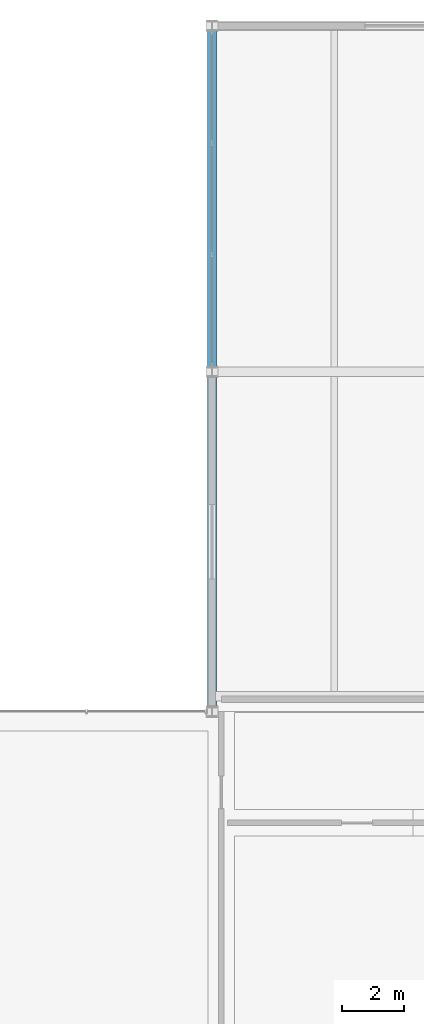
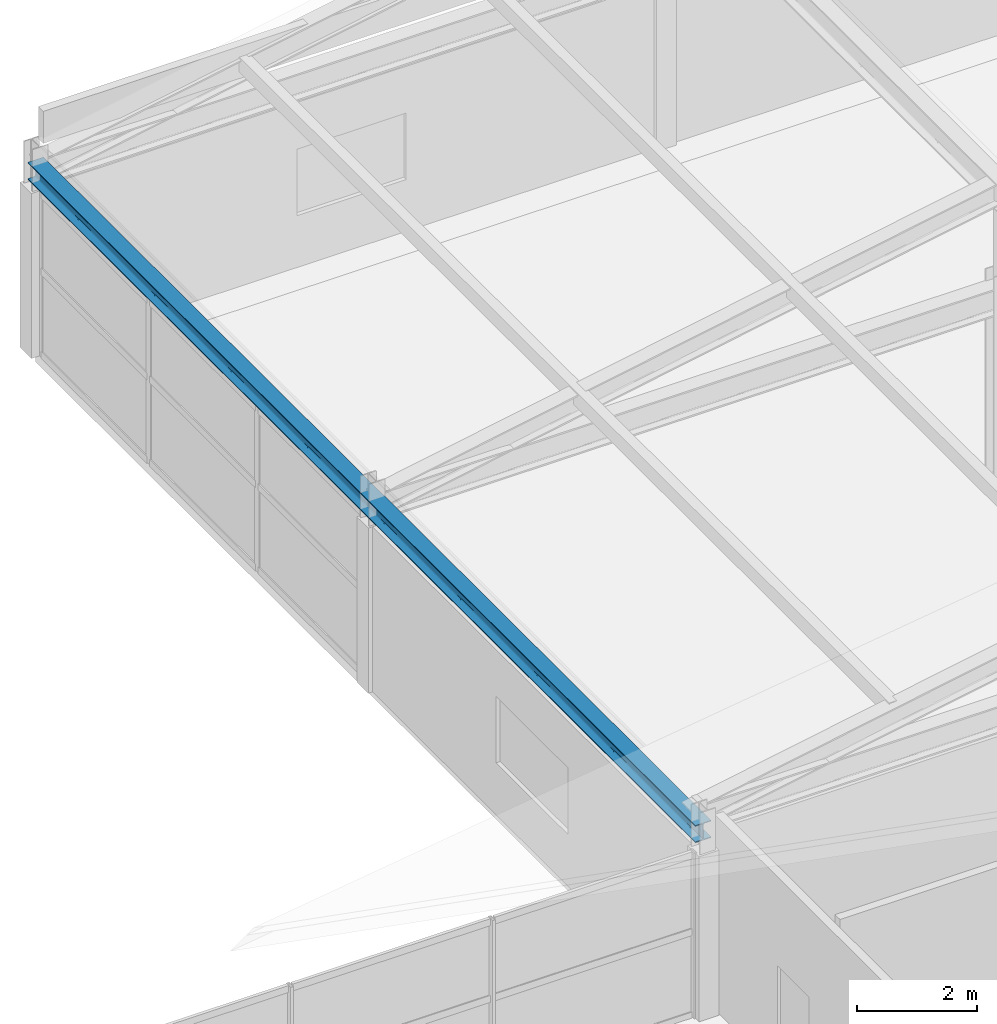
# One storey, part 18 of 63: 1 beam.
"""IFC4 building model written with IfcOpenShell, lengths in metres."""

from ifc_helpers import new_model, si_unit, direction, frame, origin, origin_2d, place, context, subcontext, project, spatial, i_section, extrude, material, material_profile, profile_set, type_object, element, save


model = new_model("IFC4")

# Units and contexts
model_context = context("Model", 3, precision=1e-05, world=origin(), true_north=direction((0.0, 1.0)))
body_context = subcontext(model_context, "Body", "Model", "MODEL_VIEW")
ifc_project = project(units=[si_unit("LENGTHUNIT", "METRE"), si_unit("AREAUNIT", "SQUARE_METRE"), si_unit("VOLUMEUNIT", "CUBIC_METRE"), si_unit("PLANEANGLEUNIT", "RADIAN"), si_unit("MASSUNIT", "GRAM", prefix="KILO")], contexts=[model_context])

# Site, building, storey
site_placement = place(None, origin())
site = spatial("IfcSite", under=ifc_project, at=site_placement, CompositionType="ELEMENT")
building_placement = place(site_placement, origin())
building = spatial("IfcBuilding", under=site, at=building_placement, Name="Tarnveldt Headland Concert Hall", CompositionType="ELEMENT")
storey_placement = place(building_placement, frame((0.0, 0.0, 14.39990234375)))
storey = spatial("IfcBuildingStorey", under=building, at=storey_placement, Name="L03", CompositionType="ELEMENT", Elevation=14.39990234375)

# Beam
ifc_material = material(Name="Steel S355", Category="steel")
ifc_material_profile = material_profile(ifc_material, i_section(OverallWidth=0.300048828125, OverallDepth=0.35009765625, WebThickness=0.010009765625, FlangeThickness=0.017578125, FilletRadius=0.027099609375, at=origin_2d()), Name="HEA360", Category="steel")
ifc_profile_set = profile_set([ifc_material_profile], Name="Steel S355")
beam_type = type_object("IfcBeamType", Name="SB-HEA360", PredefinedType="SPANDREL", material=ifc_profile_set)
beam_placement = place(storey_placement, frame((19.5, 93.0, 3.68017578125), z_axis=(0.0, 1.0, 0.0), x_axis=(-1.0, 0.0, 0.0)))
element("IfcBeam", 1, at=beam_placement, inside=storey, type_object=beam_type, Name="Rehearsal eaves girder X19", PredefinedType="SPANDREL", context=body_context, shape_type="SweptSolid", body=[
    extrude(i_section(OverallWidth=0.300048828125, OverallDepth=0.35009765625, WebThickness=0.010009765625, FlangeThickness=0.017578125, FilletRadius=0.027099609375, at=origin_2d()), origin(), (0.0, 0.0, 1.0), 22.199951171875),
])

save(model, "model.ifc")
